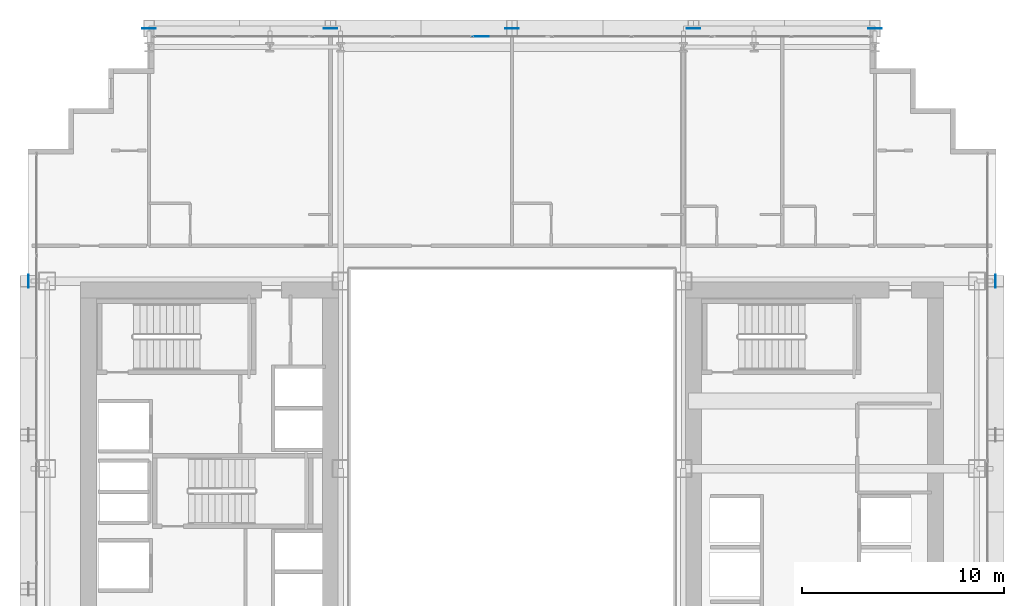
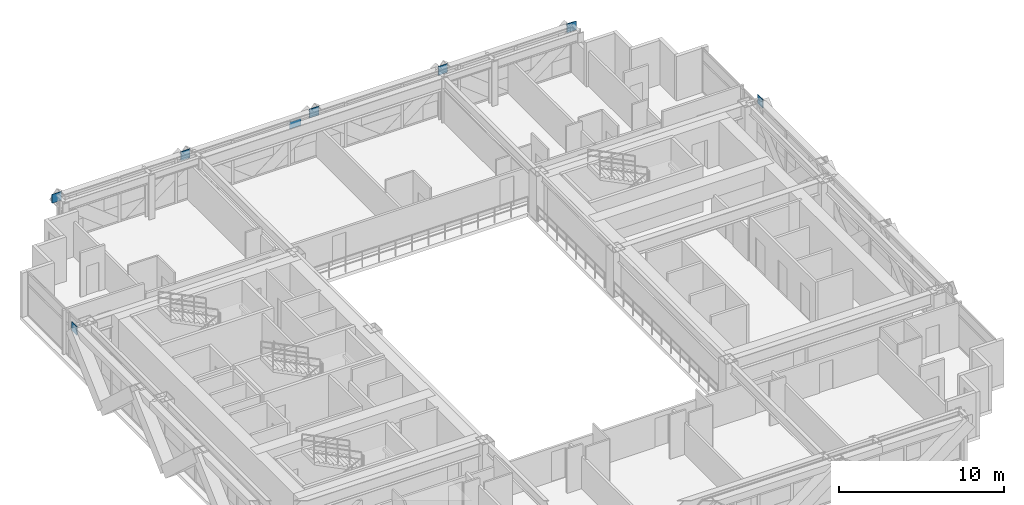
# One storey, part 26 of 35: 8 plates, 1 element without a shape of its own.
"""IFC4 building model written with IfcOpenShell, lengths in metres."""

from ifc_helpers import new_model, si_unit, direction, frame, origin, origin_2d, place, context, subcontext, project, spatial, rectangle, extrude, source, transform, mapped, material, layer, layer_set, type_object, element, aggregate, save


model = new_model("IFC4")

# Units and contexts
model_context = context("Model", 3, precision=1e-05, world=origin(), true_north=direction((0.0, 1.0)))
body_context = subcontext(model_context, "Body", "Model", "MODEL_VIEW")
ifc_project = project(units=[si_unit("LENGTHUNIT", "METRE"), si_unit("AREAUNIT", "SQUARE_METRE"), si_unit("VOLUMEUNIT", "CUBIC_METRE"), si_unit("PLANEANGLEUNIT", "RADIAN"), si_unit("MASSUNIT", "GRAM", prefix="KILO")], contexts=[model_context])

# Site, building, storey
site_placement = place(None, origin())
site = spatial("IfcSite", under=ifc_project, at=site_placement, CompositionType="ELEMENT")
building_placement = place(site_placement, origin())
building = spatial("IfcBuilding", under=site, at=building_placement, Name="Ocotamira Hotel", CompositionType="ELEMENT")
storey_placement = place(building_placement, frame((0.0, 0.0, 81.60009765625)))
storey = spatial("IfcBuildingStorey", under=building, at=storey_placement, Name="L20", CompositionType="ELEMENT", Elevation=81.60009765625)

# Plates
ifc_material_1 = material(Name="Pale-metal coated steel ASTM A572 Grade 50", Category="steel")
ifc_layer_1 = layer(ifc_material_1, 0.0400390625)
ifc_layer_set_1 = layer_set([ifc_layer_1], Name="Pale-metal coated steel ASTM A572 Grade 50")
plate_type_1 = type_object("IfcPlateType", Name="PLT-GUSSET-40", PredefinedType="SHEET", material=ifc_layer_set_1)
shared_shape_1 = source(origin(), body_context, "Body", "SweptSolid", [
    extrude(rectangle(XDim=0.64990234375, YDim=0.0400390625, at=origin_2d()), origin(), (0.0, 0.0, 1.0), 0.64990234375),
])
for number, where, z_axis, x_axis, name in (
    (1, (14.0, 49.969970703125, 2.704833984375), (0.0, 0.0, 1.0), (-1.0, 0.0, 0.0), "L20 Exoskeleton Diagrid N0.1 End Gusset B"),
    (2, (23.0, 49.969970703125, 2.704833984375), (0.0, 0.0, 1.0), (1.0, 0.0, 0.0), "L20 Exoskeleton Diagrid N0.2 End Gusset B"),
    (3, (32.0, 49.969970703125, 2.704833984375), (0.0, 0.0, 1.0), (1.0, 0.0, 0.0), "L20 Exoskeleton Diagrid N1.2 End Gusset B"),
    (4, (41.0, 49.969970703125, 2.704833984375), (0.0, 0.0, 1.0), (1.0, 0.0, 0.0), "L20 Exoskeleton Diagrid N2.2 End Gusset B"),
    (5, (50.0, 49.969970703125, 2.704833984375), (0.0, 0.0, 1.0), (1.0, 0.0, 0.0), "L20 Exoskeleton Diagrid N3.2 End Gusset B"),
):
    element("IfcPlate", number, at=place(storey_placement, frame(where, z_axis=z_axis, x_axis=x_axis)), inside=storey, type_object=plate_type_1, Name=name, PredefinedType="SHEET", context=body_context, shape_type="MappedRepresentation", body=[
        mapped(shared_shape_1, transform((0.0, 0.0, 0.0), scale=1.0)),
    ])
shared_shape_2 = source(origin(), body_context, "Body", "SweptSolid", [
    extrude(rectangle(XDim=0.0400390625, YDim=0.64990234375, at=origin_2d()), origin(), (0.0, 0.0, 1.0), 0.64990234375),
])
for number, where, z_axis, x_axis, name in (
    (6, (8.030029296875, 37.449951171875, 2.704833984375), (0.0, 0.0, 1.0), (1.0, 0.0, 0.0), "L20 Exoskeleton Diagrid W2.2 End Gusset B"),
    (7, (55.969970703125, 37.449951171875, 2.704833984375), (0.0, 0.0, 1.0), (1.0, 0.0, 0.0), "L20 Exoskeleton Diagrid E2.2 End Gusset B"),
):
    element("IfcPlate", number, at=place(storey_placement, frame(where, z_axis=z_axis, x_axis=x_axis)), inside=storey, type_object=plate_type_1, Name=name, PredefinedType="SHEET", context=body_context, shape_type="MappedRepresentation", body=[
        mapped(shared_shape_2, transform((0.0, 0.0, 0.0), scale=1.0)),
    ])

# Curtain wall, plate
ifc_material_2 = material(Name="Anodised pale-metal aluminium and solar glass", Category="aluminium")
ifc_layer_2 = layer(ifc_material_2, 0.179931640625)
ifc_layer_set_2 = layer_set([ifc_layer_2], Name="Anodised pale-metal aluminium and solar glass")
curtain_wall_type = type_object("IfcCurtainWallType", Name="CW-SYS2-Z1", PredefinedType="NOTDEFINED", material=ifc_layer_set_2)
curtain_wall_placement = place(storey_placement, origin())
curtain_wall = element("IfcCurtainWall", 8, at=curtain_wall_placement, inside=storey, type_object=curtain_wall_type, Name="L20 Curtain Wall CW-2 CW-L20-N", PredefinedType="NOTDEFINED")
ifc_material_3 = material(Name="Double-silver low-E insulated solar glass", Category="glass")
ifc_layer_3 = layer(ifc_material_3, 0.031982421875)
ifc_layer_set_3 = layer_set([ifc_layer_3], Name="Double-silver low-E insulated solar glass")
plate_type_2 = type_object("IfcPlateType", Name="CWP-VISION-32", PredefinedType="CURTAIN_PANEL", material=ifc_layer_set_3)
shared_shape_3 = source(origin(), body_context, "Body", "SweptSolid", [
    extrude(rectangle(XDim=0.777099609375, YDim=0.031982421875, at=origin_2d()), origin(), (0.0, 0.0, 1.0), 0.513671875),
])
plate_placement = place(storey_placement, frame((30.45068359375, 49.580078125, 2.691162109375), z_axis=(0.0, 0.0, 1.0), x_axis=(1.0, 0.0, 0.0)))
plate = element("IfcPlate", 9, at=plate_placement, type_object=plate_type_2, Name="CW-2 panel 5.2.1", PredefinedType="CURTAIN_PANEL", context=body_context, shape_type="MappedRepresentation", body=[
    mapped(shared_shape_3, transform((0.0, 0.0, 0.0), scale=1.0)),
])
aggregate(curtain_wall, [plate])

save(model, "model.ifc")
